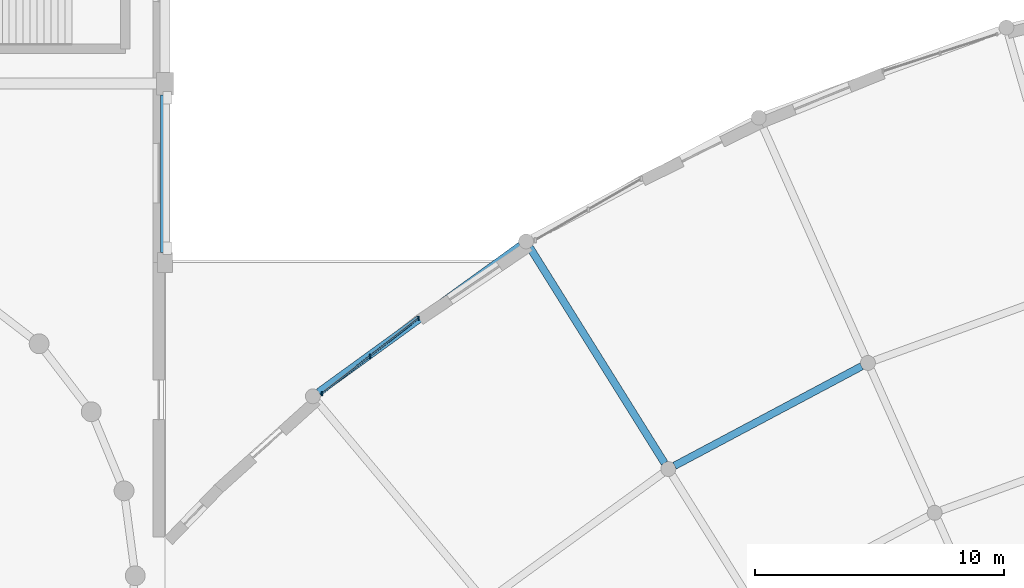
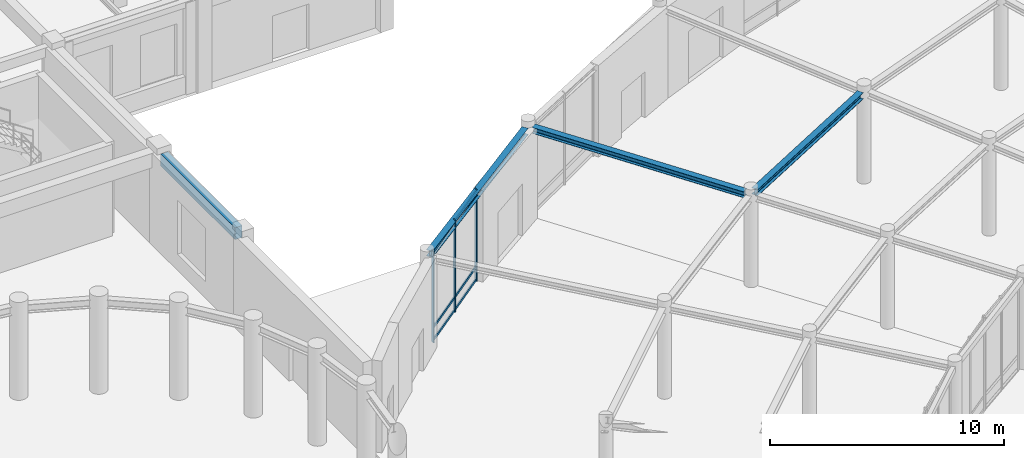
# One storey, part 30 of 64: 9 members, 4 beams, 1 element without a shape of its own.
"""IFC4 building model written with IfcOpenShell, lengths in metres."""

from ifc_helpers import new_model, si_unit, direction, frame, origin, origin_2d, place, context, subcontext, project, spatial, rectangle, i_section, extrude, material, material_profile, profile_set, type_object, element, aggregate, save


model = new_model("IFC4")

# Units and contexts
model_context = context("Model", 3, precision=1e-05, world=origin(), true_north=direction((0.0, 1.0)))
body_context = subcontext(model_context, "Body", "Model", "MODEL_VIEW")
ifc_project = project(units=[si_unit("LENGTHUNIT", "METRE"), si_unit("AREAUNIT", "SQUARE_METRE"), si_unit("VOLUMEUNIT", "CUBIC_METRE"), si_unit("PLANEANGLEUNIT", "RADIAN"), si_unit("MASSUNIT", "GRAM", prefix="KILO")], contexts=[model_context])

# Site, building, storey
site_placement = place(None, origin())
site = spatial("IfcSite", under=ifc_project, at=site_placement, CompositionType="ELEMENT")
building_placement = place(site_placement, origin())
building = spatial("IfcBuilding", under=site, at=building_placement, Name="Clarverna Civic Hall", CompositionType="ELEMENT")
storey_placement = place(building_placement, origin())
storey = spatial("IfcBuildingStorey", under=building, at=storey_placement, Name="L00", CompositionType="ELEMENT", Elevation=0.0)

# Beams
ifc_material_1 = material(Name="Concrete C35/45", Category="concrete")
ifc_material_profile_1 = material_profile(ifc_material_1, rectangle(XDim=0.360107421875, YDim=0.6201171875, at=origin_2d()), Name="RC 360x620")
ifc_profile_set_1 = profile_set([ifc_material_profile_1], Name="Concrete C35/45")
beam_type_1 = type_object("IfcBeamType", Name="B-SP3", PredefinedType="SPANDREL", material=ifc_profile_set_1)
beam_1_placement = place(storey_placement, frame((97.199951171875, 72.0, 4.469970703125), z_axis=(0.0, 1.0, 0.0), x_axis=(-1.0, 0.0, 0.0)))
element("IfcBeam", 1, at=beam_1_placement, inside=storey, type_object=beam_type_1, Name="B-SP3-053", PredefinedType="SPANDREL", context=body_context, shape_type="SweptSolid", body=[
    extrude(rectangle(XDim=0.360107421875, YDim=0.6201171875, at=origin_2d()), origin(), (0.0, 0.0, 1.0), 6.35009765625),
])
ifc_material_2 = material(Name="Steel S355", Category="steel")
ifc_material_profile_2 = material_profile(ifc_material_2, i_section(OverallWidth=0.300048828125, OverallDepth=0.330078125, WebThickness=0.009521484375, FlangeThickness=0.0166015625, FilletRadius=0.027099609375, at=origin_2d()), Name="HEA 340")
ifc_profile_set_2 = profile_set([ifc_material_profile_2], Name="Steel S355")
beam_type_2 = type_object("IfcBeamType", Name="B-ST8", PredefinedType="BEAM", material=ifc_profile_set_2)
beam_2_placement = place(storey_placement, frame((125.229248046875, 67.429443359375, 4.614990234375), z_axis=(-0.882945124474, -0.469476205113, 0.0), x_axis=(0.469476205113, -0.882945124474, 0.0)))
element("IfcBeam", 2, at=beam_2_placement, inside=storey, type_object=beam_type_2, Name="B-ST8-040", PredefinedType="BEAM", context=body_context, shape_type="SweptSolid", body=[
    extrude(i_section(OverallWidth=0.300048828125, OverallDepth=0.330078125, WebThickness=0.009521484375, FlangeThickness=0.0166015625, FilletRadius=0.027099609375, at=origin_2d()), origin(), (0.0, 0.0, 1.0), 8.5263671875),
])
beam_3_placement = place(storey_placement, frame((111.49560546875, 72.2841796875, 4.614990234375), z_axis=(-0.809021153426, -0.587779527807, 0.0), x_axis=(0.587779527807, -0.809021153426, 0.0)))
element("IfcBeam", 3, at=beam_3_placement, inside=storey, type_object=beam_type_2, Name="B-ST8-050", PredefinedType="BEAM", context=body_context, shape_type="SweptSolid", body=[
    extrude(i_section(OverallWidth=0.300048828125, OverallDepth=0.330078125, WebThickness=0.009521484375, FlangeThickness=0.0166015625, FilletRadius=0.027099609375, at=origin_2d()), origin(), (0.0, 0.0, 1.0), 10.032958984375),
])
ifc_material_profile_3 = material_profile(ifc_material_2, i_section(OverallWidth=0.300048828125, OverallDepth=0.31005859375, WebThickness=0.009033203125, FlangeThickness=0.015380859375, FilletRadius=0.027099609375, at=origin_2d()), Name="HEA 320")
ifc_profile_set_3 = profile_set([ifc_material_profile_3], Name="Steel S355")
beam_type_3 = type_object("IfcBeamType", Name="B-ST9", PredefinedType="BEAM", material=ifc_profile_set_3)
beam_4_placement = place(storey_placement, frame((117.29833984375, 63.534423828125, 4.625), z_axis=(-0.52992385681, 0.848045226379, 0.0), x_axis=(-0.848045226379, -0.52992385681, 0.0)))
element("IfcBeam", 4, at=beam_4_placement, inside=storey, type_object=beam_type_3, Name="B-ST9-033", PredefinedType="BEAM", context=body_context, shape_type="SweptSolid", body=[
    extrude(i_section(OverallWidth=0.300048828125, OverallDepth=0.31005859375, WebThickness=0.009033203125, FlangeThickness=0.015380859375, FilletRadius=0.027099609375, at=origin_2d()), origin(), (0.0, 0.0, 1.0), 10.22998046875),
])

# Curtain wall, members
ifc_material_3 = material(Name="Anodised Bronze Architectural Aluminium", Category="aluminium")
curtain_wall_type = type_object("IfcCurtainWallType", Name="CW-03", PredefinedType="USERDEFINED", material=ifc_material_3)
curtain_wall_placement = place(storey_placement, origin())
curtain_wall = element("IfcCurtainWall", 5, at=curtain_wall_placement, inside=storey, type_object=curtain_wall_type, Name="CW-03-001", ObjectType="UNITISED CURTAIN WALL", PredefinedType="USERDEFINED")
ifc_material_profile_4 = material_profile(ifc_material_3, rectangle(XDim=0.06005859375, YDim=0.159912109375, at=origin_2d()), Name="BRONZE 60x160")
ifc_profile_set_4 = profile_set([ifc_material_profile_4], Name="Anodised Bronze Architectural Aluminium")
member_type_1 = type_object("IfcMemberType", Name="CWM-02", PredefinedType="MULLION", material=ifc_profile_set_4)
member_1_placement = place(storey_placement, frame((103.51416015625, 66.32763671875, 0.0), z_axis=(0.0, 0.0, 1.0), x_axis=(1.0, 0.0, 0.0)))
member_1 = element("IfcMember", 6, at=member_1_placement, type_object=member_type_1, Name="CWM-02-001", PredefinedType="MULLION", context=body_context, shape_type="SweptSolid", body=[
    extrude(rectangle(XDim=0.06005859375, YDim=0.159912109375, at=origin_2d()), origin(), (0.0, 0.0, 1.0), 4.780029296875),
])
member_2_placement = place(storey_placement, frame((105.451416015625, 67.84130859375, 0.0), z_axis=(0.0, 0.0, 1.0), x_axis=(1.0, 0.0, 0.0)))
member_2 = element("IfcMember", 7, at=member_2_placement, type_object=member_type_1, Name="CWM-02-002", PredefinedType="MULLION", context=body_context, shape_type="SweptSolid", body=[
    extrude(rectangle(XDim=0.06005859375, YDim=0.159912109375, at=origin_2d()), origin(), (0.0, 0.0, 1.0), 4.780029296875),
])
member_3_placement = place(storey_placement, frame((107.388427734375, 69.354736328125, 0.0), z_axis=(0.0, 0.0, 1.0), x_axis=(1.0, 0.0, 0.0)))
member_3 = element("IfcMember", 8, at=member_3_placement, type_object=member_type_1, Name="CWM-02-003", PredefinedType="MULLION", context=body_context, shape_type="SweptSolid", body=[
    extrude(rectangle(XDim=0.06005859375, YDim=0.159912109375, at=origin_2d()), origin(), (0.0, 0.0, 1.0), 4.780029296875),
])
ifc_material_profile_5 = material_profile(ifc_material_3, rectangle(XDim=0.06005859375, YDim=0.1298828125, at=origin_2d()), Name="BRONZE 60x130")
ifc_profile_set_5 = profile_set([ifc_material_profile_5], Name="Anodised Bronze Architectural Aluminium")
member_type_2 = type_object("IfcMemberType", Name="CWT-02", PredefinedType="USERDEFINED", material=ifc_profile_set_5)
member_4_placement = place(storey_placement, frame((103.52587890625, 66.3369140625, 0.094970703125), z_axis=(0.787996937553, 0.615679158659, 0.0), x_axis=(-0.615679158659, 0.787996937553, 0.0)))
member_4 = element("IfcMember", 9, at=member_4_placement, type_object=member_type_2, Name="CWT-02-001", ObjectType="TRANSOM", PredefinedType="USERDEFINED", context=body_context, shape_type="SweptSolid", body=[
    extrude(rectangle(XDim=0.06005859375, YDim=0.1298828125, at=origin_2d()), origin(), (0.0, 0.0, 1.0), 2.428466796875),
])
member_5_placement = place(storey_placement, frame((103.52587890625, 66.3369140625, 0.75), z_axis=(0.787996937553, 0.615679158659, 0.0), x_axis=(-0.615679158659, 0.787996937553, 0.0)))
member_5 = element("IfcMember", 10, at=member_5_placement, type_object=member_type_2, Name="CWT-02-002", ObjectType="TRANSOM", PredefinedType="USERDEFINED", context=body_context, shape_type="SweptSolid", body=[
    extrude(rectangle(XDim=0.06005859375, YDim=0.1298828125, at=origin_2d()), origin(), (0.0, 0.0, 1.0), 2.428466796875),
])
member_6_placement = place(storey_placement, frame((103.52587890625, 66.3369140625, 4.68505859375), z_axis=(0.787996937553, 0.615679158659, 0.0), x_axis=(-0.615679158659, 0.787996937553, 0.0)))
member_6 = element("IfcMember", 11, at=member_6_placement, type_object=member_type_2, Name="CWT-02-003", ObjectType="TRANSOM", PredefinedType="USERDEFINED", context=body_context, shape_type="SweptSolid", body=[
    extrude(rectangle(XDim=0.06005859375, YDim=0.1298828125, at=origin_2d()), origin(), (0.0, 0.0, 1.0), 2.428466796875),
])
member_7_placement = place(storey_placement, frame((105.463134765625, 67.850341796875, 0.094970703125), z_axis=(0.787996937553, 0.615679158659, 0.0), x_axis=(-0.615679158659, 0.787996937553, 0.0)))
member_7 = element("IfcMember", 12, at=member_7_placement, type_object=member_type_2, Name="CWT-02-004", ObjectType="TRANSOM", PredefinedType="USERDEFINED", context=body_context, shape_type="SweptSolid", body=[
    extrude(rectangle(XDim=0.06005859375, YDim=0.1298828125, at=origin_2d()), origin(), (0.0, 0.0, 1.0), 2.428466796875),
])
member_8_placement = place(storey_placement, frame((105.463134765625, 67.850341796875, 0.75), z_axis=(0.787996937553, 0.615679158659, 0.0), x_axis=(-0.615679158659, 0.787996937553, 0.0)))
member_8 = element("IfcMember", 13, at=member_8_placement, type_object=member_type_2, Name="CWT-02-005", ObjectType="TRANSOM", PredefinedType="USERDEFINED", context=body_context, shape_type="SweptSolid", body=[
    extrude(rectangle(XDim=0.06005859375, YDim=0.1298828125, at=origin_2d()), origin(), (0.0, 0.0, 1.0), 2.428466796875),
])
member_9_placement = place(storey_placement, frame((105.463134765625, 67.850341796875, 4.68505859375), z_axis=(0.787996937553, 0.615679158659, 0.0), x_axis=(-0.615679158659, 0.787996937553, 0.0)))
member_9 = element("IfcMember", 14, at=member_9_placement, type_object=member_type_2, Name="CWT-02-006", ObjectType="TRANSOM", PredefinedType="USERDEFINED", context=body_context, shape_type="SweptSolid", body=[
    extrude(rectangle(XDim=0.06005859375, YDim=0.1298828125, at=origin_2d()), origin(), (0.0, 0.0, 1.0), 2.428466796875),
])
aggregate(curtain_wall, [member_1, member_2, member_3, member_4, member_5, member_6, member_7, member_8, member_9])

save(model, "model.ifc")
